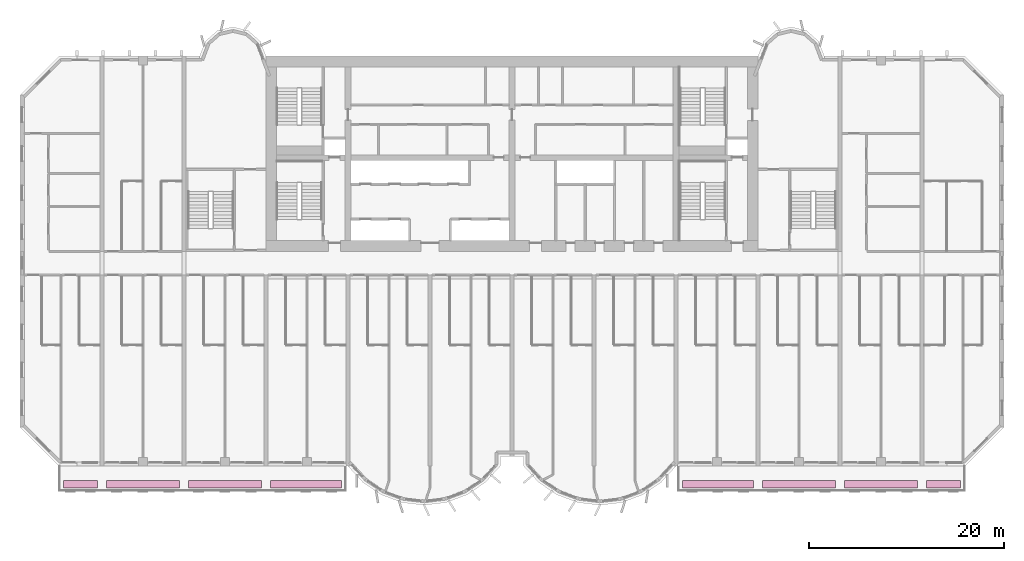
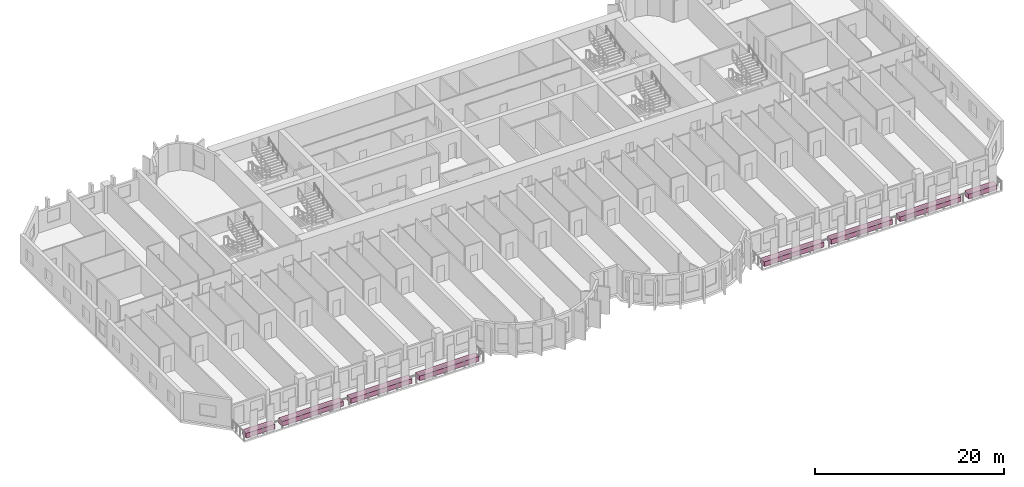
# One storey, part 15 of 15: 8 furniture elements.
"""IFC4 building model written with IfcOpenShell, lengths in metres."""

from ifc_helpers import new_model, si_unit, direction, frame, origin, origin_2d, place, context, subcontext, project, spatial, rectangle, extrude, source, transform, mapped, material, type_object, element, save


model = new_model("IFC4")

# Units and contexts
model_context = context("Model", 3, precision=1e-05, world=origin(), true_north=direction((0.0, 1.0)))
body_context = subcontext(model_context, "Body", "Model", "MODEL_VIEW")
ifc_project = project(units=[si_unit("LENGTHUNIT", "METRE"), si_unit("AREAUNIT", "SQUARE_METRE"), si_unit("VOLUMEUNIT", "CUBIC_METRE"), si_unit("PLANEANGLEUNIT", "RADIAN"), si_unit("MASSUNIT", "GRAM", prefix="KILO")], contexts=[model_context])

# Site, building, storey
site_placement = place(None, origin())
site = spatial("IfcSite", under=ifc_project, at=site_placement, CompositionType="ELEMENT")
building_placement = place(site_placement, origin())
building = spatial("IfcBuilding", under=site, at=building_placement, Name="Vanashikhar Sky Hotel", CompositionType="ELEMENT")
storey_placement = place(building_placement, frame((0.0, 0.0, 35.39990234375)))
storey = spatial("IfcBuildingStorey", under=building, at=storey_placement, Name="L07", CompositionType="ELEMENT", Elevation=35.39990234375)

# Furniture
ifc_material = material(Name="Planting soil and shrubs")
furniture_type = type_object("IfcFurnitureType", Name="Planter trough", AssemblyPlace="NOTDEFINED", PredefinedType="USERDEFINED", material=ifc_material)
shared_shape_1 = source(origin(), body_context, "Body", "SweptSolid", [
    extrude(rectangle(XDim=3.5, YDim=0.800048828125, at=origin_2d()), origin(), (0.0, 0.0, 1.0), 0.60009765625),
])
for number, where, z_axis, x_axis, name in (
    (1, (6.199951171875, -1.85009765625, -0.050048828125), (0.0, 0.0, 1.0), (1.0, 0.0, 0.0), "PLANTER with climbers"),
    (2, (94.60009765625, -1.85009765625, -0.050048828125), (0.0, 0.0, 1.0), (1.0, 0.0, 0.0), "PLANTER with climbers"),
):
    element("IfcFurniture", number, at=place(storey_placement, frame(where, z_axis=z_axis, x_axis=x_axis)), inside=storey, type_object=furniture_type, Name=name, ObjectType="PLANTER", PredefinedType="USERDEFINED", context=body_context, shape_type="MappedRepresentation", body=[
        mapped(shared_shape_1, transform((0.0, 0.0, 0.0), scale=1.0)),
    ])
shared_shape_2 = source(origin(), body_context, "Body", "SweptSolid", [
    extrude(rectangle(XDim=7.5, YDim=0.800048828125, at=origin_2d()), origin(), (0.0, 0.0, 1.0), 0.60009765625),
])
for number, where, z_axis, x_axis, name in (
    (3, (12.60009765625, -1.85009765625, -0.050048828125), (0.0, 0.0, 1.0), (1.0, 0.0, 0.0), "PLANTER with climbers"),
    (4, (21.0, -1.85009765625, -0.050048828125), (0.0, 0.0, 1.0), (1.0, 0.0, 0.0), "PLANTER with climbers"),
    (5, (79.800048828125, -1.85009765625, -0.050048828125), (0.0, 0.0, 1.0), (1.0, 0.0, 0.0), "PLANTER with climbers"),
    (6, (88.199951171875, -1.85009765625, -0.050048828125), (0.0, 0.0, 1.0), (1.0, 0.0, 0.0), "PLANTER with climbers"),
):
    element("IfcFurniture", number, at=place(storey_placement, frame(where, z_axis=z_axis, x_axis=x_axis)), inside=storey, type_object=furniture_type, Name=name, ObjectType="PLANTER", PredefinedType="USERDEFINED", context=body_context, shape_type="MappedRepresentation", body=[
        mapped(shared_shape_2, transform((0.0, 0.0, 0.0), scale=1.0)),
    ])
shared_shape_3 = source(origin(), body_context, "Body", "SweptSolid", [
    extrude(rectangle(XDim=7.300048828125, YDim=0.800048828125, at=origin_2d()), origin(), (0.0, 0.0, 1.0), 0.60009765625),
])
for number, where, z_axis, x_axis, name in (
    (7, (29.300048828125, -1.85009765625, -0.050048828125), (0.0, 0.0, 1.0), (1.0, 0.0, 0.0), "PLANTER with climbers"),
    (8, (71.5, -1.85009765625, -0.050048828125), (0.0, 0.0, 1.0), (1.0, 0.0, 0.0), "PLANTER with climbers"),
):
    element("IfcFurniture", number, at=place(storey_placement, frame(where, z_axis=z_axis, x_axis=x_axis)), inside=storey, type_object=furniture_type, Name=name, ObjectType="PLANTER", PredefinedType="USERDEFINED", context=body_context, shape_type="MappedRepresentation", body=[
        mapped(shared_shape_3, transform((0.0, 0.0, 0.0), scale=1.0)),
    ])

save(model, "model.ifc")
